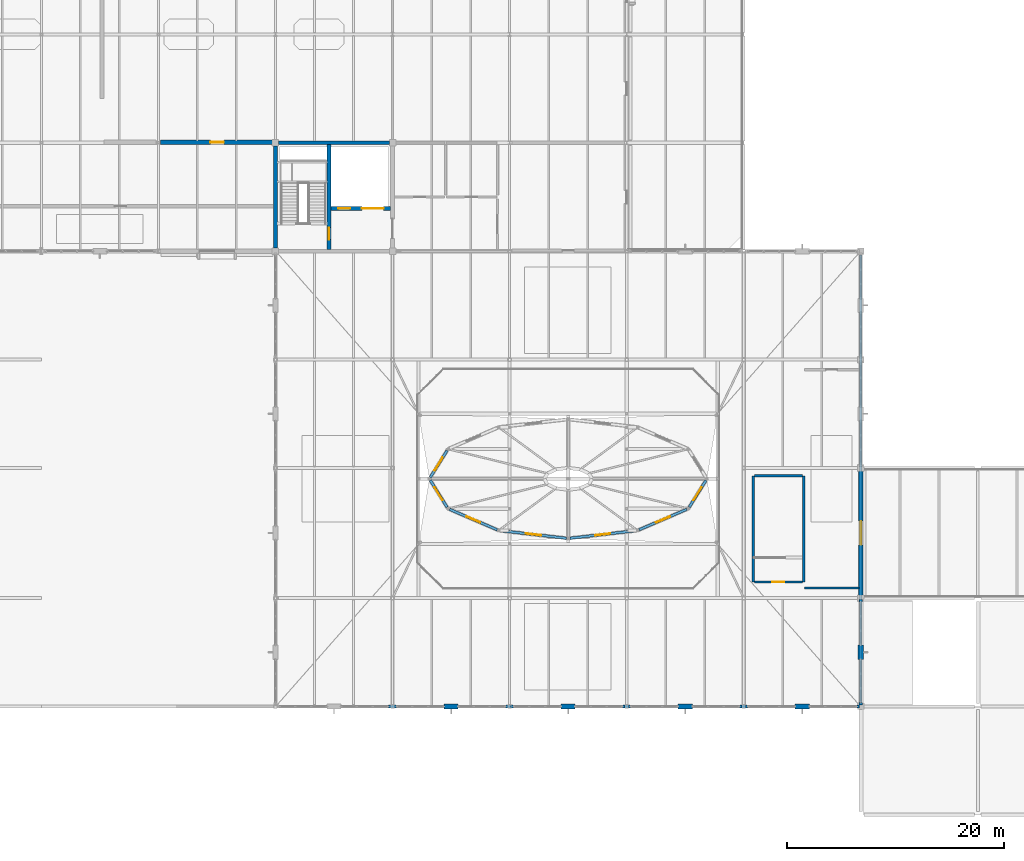
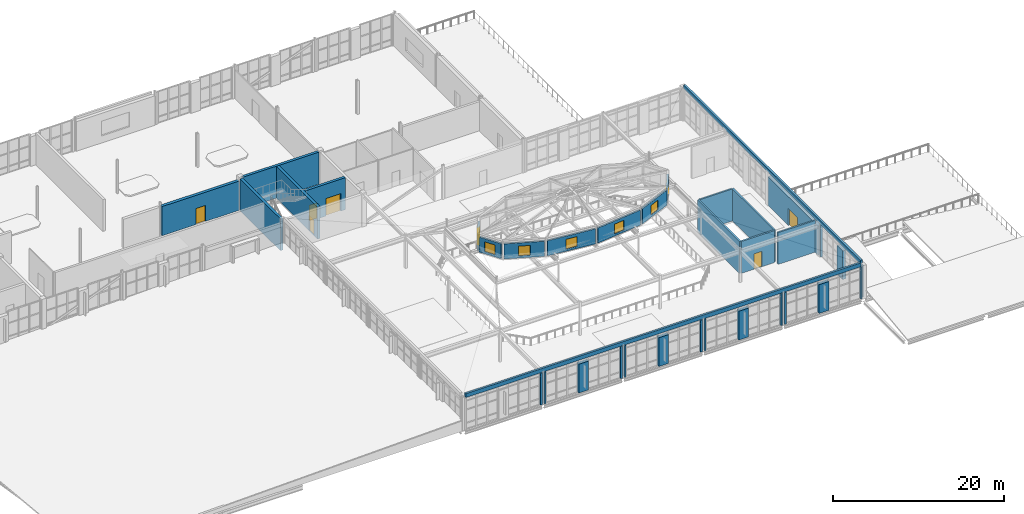
# One storey, part 75 of 86: 36 walls, 7 windows, 6 doors, 13 openings.
"""IFC4 building model written with IfcOpenShell, lengths in metres."""

from ifc_helpers import new_model, si_unit, direction, frame, frame_2d, origin, place, context, subcontext, project, spatial, rectangle, extrude, material, layer, layer_set, type_object, element, fill, save


model = new_model("IFC4")

# Units and contexts
model_context = context("Model", 3, precision=1e-05, world=origin(), true_north=direction((0.0, 1.0)))
body_context = subcontext(model_context, "Body", "Model", "MODEL_VIEW")
ifc_project = project(units=[si_unit("LENGTHUNIT", "METRE"), si_unit("AREAUNIT", "SQUARE_METRE"), si_unit("VOLUMEUNIT", "CUBIC_METRE"), si_unit("PLANEANGLEUNIT", "RADIAN"), si_unit("MASSUNIT", "GRAM", prefix="KILO")], contexts=[model_context])

# Site, building, storey
site_placement = place(None, origin())
site = spatial("IfcSite", under=ifc_project, at=site_placement, CompositionType="ELEMENT")
building_placement = place(site_placement, origin())
building = spatial("IfcBuilding", under=site, at=building_placement, Name="Tasgan Crest Museum", CompositionType="ELEMENT")
storey_placement = place(building_placement, frame((0.0, 0.0, 24.0)))
storey = spatial("IfcBuildingStorey", under=building, at=storey_placement, Name="L04", CompositionType="ELEMENT", Elevation=24.0)

# Walls
ifc_material_1 = material(Name="Concrete C40/50", Category="concrete")
ifc_layer_1 = layer(ifc_material_1, 0.35009765625, Name="WL-CORE-350")
ifc_layer_set_1 = layer_set([ifc_layer_1], Name="Concrete C40/50")
wall_type_1 = type_object("IfcWallType", Name="WL-CORE-350", PredefinedType="SHEAR", material=ifc_layer_set_1)
wall_1_placement = place(storey_placement, frame((54.300048828125, 92.0, 0.0), z_axis=(0.0, 0.0, 1.0), x_axis=(1.0, 0.0, 0.0)))
element("IfcWall", 1, at=wall_1_placement, inside=storey, type_object=wall_type_1, Name="North-Central Sawtooth Core north shear wall L04", PredefinedType="SHEAR", context=body_context, shape_type="SweptSolid", body=[
    extrude(rectangle(XDim=10.199951171875, YDim=0.35009765625, at=frame_2d((5.10009765625, 0.0))), origin(), (0.0, 0.0, 1.0), 4.56005859375),
])
wall_2_placement = place(storey_placement, frame((54.0, 82.300048828125, 0.0), z_axis=(0.0, 0.0, 1.0), x_axis=(0.0, 1.0, 0.0)))
element("IfcWall", 2, at=wall_2_placement, inside=storey, type_object=wall_type_1, Name="North-Central Sawtooth Core west shear wall L04", PredefinedType="SHEAR", context=body_context, shape_type="SweptSolid", body=[
    extrude(rectangle(XDim=9.39990234375, YDim=0.35009765625, at=frame_2d((4.699951171875, 0.0))), origin(), (0.0, 0.0, 1.0), 4.56005859375),
])

# Wall, opening, door
wall_3_placement = place(storey_placement, frame((58.949951171875, 82.175048828125, 0.0), z_axis=(0.0, 0.0, 1.0), x_axis=(0.0, 1.0, 0.0)))
wall_3 = element("IfcWall", 3, at=wall_3_placement, inside=storey, type_object=wall_type_1, Name="North-Central Sawtooth Core stair-lobby shear wall L04", PredefinedType="SHEAR", context=body_context, shape_type="SweptSolid", body=[
    extrude(rectangle(XDim=9.64990234375, YDim=0.35009765625, at=frame_2d((4.824951171875, 0.0))), origin(), (0.0, 0.0, 1.0), 4.56005859375),
])
opening_1_placement = place(wall_3_placement, frame((0.89990234375, 0.0, 0.0)))
opening_1 = element("IfcOpeningElement", 4, at=opening_1_placement, cuts=wall_3, Name="Opening SD-NC-L04", PredefinedType="OPENING", context=body_context, shape_type="SweptSolid", body=[
    extrude(rectangle(XDim=1.10009765625, YDim=2.199951171875, at=frame_2d((0.550048828125, 1.10009765625))), frame((0.0, 0.18505859375, 0.0), z_axis=(0.0, -1.0, 0.0), x_axis=(1.0, 0.0, 0.0)), (0.0, 0.0, 1.0), 0.3701171875),
])
ifc_material_2 = material(Name="Fire-Rated Steel Door", Category="steel")
door_type_1 = type_object("IfcDoorType", Name="DR-FD1-1100", OperationType="NOTDEFINED", PredefinedType="DOOR", material=ifc_material_2)
door_1_placement = place(opening_1_placement, origin())
door_1 = element("IfcDoor", 5, at=door_1_placement, inside=storey, type_object=door_type_1, Name="North-Central Sawtooth Core stair door L04", OperationType="SINGLE_SWING_LEFT", OverallHeight=2.199951171875, OverallWidth=1.10009765625, PredefinedType="DOOR", context=body_context, shape_type="SweptSolid", body=[
    extrude(rectangle(XDim=1.10009765625, YDim=2.199951171875, at=frame_2d((0.550048828125, 1.10009765625))), frame((0.0, 0.02490234375, 0.0), z_axis=(0.0, -1.0, 0.0), x_axis=(1.0, 0.0, 0.0)), (0.0, 0.0, 1.0), 0.050048828125),
])
fill(opening_1, door_1)

# Wall, openings, doors
wall_4_placement = place(storey_placement, frame((59.1298828125, 85.949951171875, 0.0), z_axis=(0.0, 0.0, 1.0), x_axis=(1.0, 0.0, 0.0)))
wall_4 = element("IfcWall", 6, at=wall_4_placement, inside=storey, type_object=wall_type_1, Name="North-Central Sawtooth Core lift-shaft wall L04", PredefinedType="SHEAR", context=body_context, shape_type="SweptSolid", body=[
    extrude(rectangle(XDim=5.490234375, YDim=0.35009765625, at=frame_2d((2.7451171875, 0.0))), origin(), (0.0, 0.0, 1.0), 4.56005859375),
])
opening_2_placement = place(wall_4_placement, frame((0.64990234375, 0.0, 0.0)))
opening_2 = element("IfcOpeningElement", 7, at=opening_2_placement, cuts=wall_4, Name="Opening LD-FL2", PredefinedType="OPENING", context=body_context, shape_type="SweptSolid", body=[
    extrude(rectangle(XDim=1.10009765625, YDim=2.199951171875, at=frame_2d((0.550048828125, 1.10009765625))), frame((0.0, 0.18505859375, 0.0), z_axis=(0.0, -1.0, 0.0), x_axis=(1.0, 0.0, 0.0)), (0.0, 0.0, 1.0), 0.3701171875),
])
opening_3_placement = place(wall_4_placement, frame((2.85009765625, 0.0, 0.0)))
opening_3 = element("IfcOpeningElement", 8, at=opening_3_placement, cuts=wall_4, Name="Opening LD-GL1", PredefinedType="OPENING", context=body_context, shape_type="SweptSolid", body=[
    extrude(rectangle(XDim=2.0, YDim=2.5, at=frame_2d((1.0, 1.25))), frame((0.0, 0.18505859375, 0.0), z_axis=(0.0, -1.0, 0.0), x_axis=(1.0, 0.0, 0.0)), (0.0, 0.0, 1.0), 0.3701171875),
])
ifc_material_3 = material(Name="Stainless Steel Firefighting Lift Landing Door", Category="steel")
door_type_2 = type_object("IfcDoorType", Name="LD-FF-1100", OperationType="NOTDEFINED", PredefinedType="DOOR", material=ifc_material_3)
door_2_placement = place(opening_2_placement, origin())
door_2 = element("IfcDoor", 9, at=door_2_placement, inside=storey, type_object=door_type_2, Name="Firefighting lift landing door FL2 L04", OperationType="DOUBLE_DOOR_SLIDING", OverallHeight=2.199951171875, OverallWidth=1.10009765625, PredefinedType="DOOR", context=body_context, shape_type="SweptSolid", body=[
    extrude(rectangle(XDim=1.10009765625, YDim=2.199951171875, at=frame_2d((0.550048828125, 1.10009765625))), frame((0.0, 0.02490234375, 0.0), z_axis=(0.0, -1.0, 0.0), x_axis=(1.0, 0.0, 0.0)), (0.0, 0.0, 1.0), 0.050048828125),
])
fill(opening_2, door_2)
ifc_material_4 = material(Name="Heavy-Duty Bi-Parting Goods Lift Landing Door")
door_type_3 = type_object("IfcDoorType", Name="LD-GDS-2000", OperationType="NOTDEFINED", PredefinedType="DOOR", material=ifc_material_4)
door_3_placement = place(opening_3_placement, origin())
door_3 = element("IfcDoor", 10, at=door_3_placement, inside=storey, type_object=door_type_3, Name="Lift landing sliding door GL1 L04", OperationType="DOUBLE_DOOR_SLIDING", OverallHeight=2.5, OverallWidth=2.0, PredefinedType="DOOR", context=body_context, shape_type="SweptSolid", body=[
    extrude(rectangle(XDim=2.0, YDim=2.5, at=frame_2d((1.0, 1.25))), frame((0.0, 0.02490234375, 0.0), z_axis=(0.0, -1.0, 0.0), x_axis=(1.0, 0.0, 0.0)), (0.0, 0.0, 1.0), 0.050048828125),
])
fill(opening_3, door_3)

# Walls
ifc_material_5 = material(Name="Precast concrete C40/50", Category="concrete")
ifc_layer_2 = layer(ifc_material_5, 0.320068359375, Name="WL-EXT-CLER-320")
ifc_layer_set_2 = layer_set([ifc_layer_2], Name="Precast concrete C40/50")
wall_type_2 = type_object("IfcWallType", Name="WL-EXT-CLER-320", PredefinedType="STANDARD", material=ifc_layer_set_2)
wall_5_placement = place(storey_placement, frame((64.429931640625, 40.0, 0.0), z_axis=(0.0, 0.0, 1.0), x_axis=(1.0, 0.0, 0.0)))
element("IfcWall", 11, at=wall_5_placement, inside=storey, type_object=wall_type_2, Name="Curtain wall jamb closure L04 JR", PredefinedType="STANDARD", context=body_context, shape_type="SweptSolid", body=[
    extrude(rectangle(XDim=0.22509765625, YDim=0.300048828125, at=frame_2d((0.112548828125, 0.0))), origin(), (0.0, 0.0, 1.0), 4.56005859375),
])
wall_6_placement = place(storey_placement, frame((64.945068359375, 40.0, 0.0), z_axis=(0.0, 0.0, 1.0), x_axis=(1.0, 0.0, 0.0)))
element("IfcWall", 12, at=wall_6_placement, inside=storey, type_object=wall_type_2, Name="Curtain wall jamb closure L04 JL", PredefinedType="STANDARD", context=body_context, shape_type="SweptSolid", body=[
    extrude(rectangle(XDim=0.224853515625, YDim=0.300048828125, at=frame_2d((0.1123046875, 0.0))), origin(), (0.0, 0.0, 1.0), 4.56005859375),
])
wall_7_placement = place(storey_placement, frame((75.22998046875, 40.0, 0.0), z_axis=(0.0, 0.0, 1.0), x_axis=(1.0, 0.0, 0.0)))
element("IfcWall", 13, at=wall_7_placement, inside=storey, type_object=wall_type_2, Name="Curtain wall jamb closure L04 JR", PredefinedType="STANDARD", context=body_context, shape_type="SweptSolid", body=[
    extrude(rectangle(XDim=0.22509765625, YDim=0.300048828125, at=frame_2d((0.112548828125, 0.0))), origin(), (0.0, 0.0, 1.0), 4.56005859375),
])
for number, where, z_axis, x_axis, name in (
    (14, (75.7451171875, 40.0, 0.0), (0.0, 0.0, 1.0), (1.0, 0.0, 0.0), "Curtain wall jamb closure L04 JL"),
    (15, (86.030029296875, 40.0, 0.0), (0.0, 0.0, 1.0), (1.0, 0.0, 0.0), "Curtain wall jamb closure L04 JR"),
):
    element("IfcWall", number, at=place(storey_placement, frame(where, z_axis=z_axis, x_axis=x_axis)), inside=storey, type_object=wall_type_2, Name=name, PredefinedType="STANDARD", context=body_context, shape_type="SweptSolid", body=[
        extrude(rectangle(XDim=0.224853515625, YDim=0.300048828125, at=frame_2d((0.1123046875, 0.0))), origin(), (0.0, 0.0, 1.0), 4.56005859375),
    ])
wall_8_placement = place(storey_placement, frame((86.544921875, 40.0, 0.0), z_axis=(0.0, 0.0, 1.0), x_axis=(1.0, 0.0, 0.0)))
element("IfcWall", 16, at=wall_8_placement, inside=storey, type_object=wall_type_2, Name="Curtain wall jamb closure L04 JL", PredefinedType="STANDARD", context=body_context, shape_type="SweptSolid", body=[
    extrude(rectangle(XDim=0.22509765625, YDim=0.300048828125, at=frame_2d((0.112548828125, 0.0))), origin(), (0.0, 0.0, 1.0), 4.56005859375),
])
wall_9_placement = place(storey_placement, frame((96.830078125, 40.0, 0.0), z_axis=(0.0, 0.0, 1.0), x_axis=(1.0, 0.0, 0.0)))
element("IfcWall", 17, at=wall_9_placement, inside=storey, type_object=wall_type_2, Name="Curtain wall jamb closure L04 JR", PredefinedType="STANDARD", context=body_context, shape_type="SweptSolid", body=[
    extrude(rectangle(XDim=0.224853515625, YDim=0.300048828125, at=frame_2d((0.1123046875, 0.0))), origin(), (0.0, 0.0, 1.0), 4.56005859375),
])
for number, where, z_axis, x_axis, name in (
    (18, (97.344970703125, 40.0, 0.0), (0.0, 0.0, 1.0), (1.0, 0.0, 0.0), "Curtain wall jamb closure L04 JL"),
    (19, (107.6298828125, 40.0, 0.0), (0.0, 0.0, 1.0), (1.0, 0.0, 0.0), "Curtain wall jamb closure L04 JR"),
    (20, (108.0, 40.14501953125, 0.0), (0.0, 0.0, 1.0), (0.0, 1.0, 0.0), "Curtain wall jamb closure L04 JL"),
    (21, (108.0, 49.6298828125, 0.0), (0.0, 0.0, 1.0), (0.0, 1.0, 0.0), "Curtain wall jamb closure L04 JR"),
):
    element("IfcWall", number, at=place(storey_placement, frame(where, z_axis=z_axis, x_axis=x_axis)), inside=storey, type_object=wall_type_2, Name=name, PredefinedType="STANDARD", context=body_context, shape_type="SweptSolid", body=[
        extrude(rectangle(XDim=0.22509765625, YDim=0.300048828125, at=frame_2d((0.112548828125, 0.0))), origin(), (0.0, 0.0, 1.0), 4.56005859375),
    ])

# Wall, opening, window
wall_10_placement = place(storey_placement, frame((69.830078125, 63.6142578125, 7.840087890625), z_axis=(0.0, 0.0, 1.0), x_axis=(-0.52909704263, -0.848561323347, 0.0)))
wall_10 = element("IfcWall", 22, at=wall_10_placement, inside=storey, type_object=wall_type_2, Name="Rotunda polygonal drum wall 6", PredefinedType="STANDARD", context=body_context, shape_type="SweptSolid", body=[
    extrude(rectangle(XDim=2.9208984375, YDim=0.239990234375, at=frame_2d((1.46044921875, 0.0))), origin(), (0.0, 0.0, 1.0), 2.159912109375),
])
opening_4_placement = place(wall_10_placement, frame((0.760498046875, 0.0, 0.300048828125)))
opening_4 = element("IfcOpeningElement", 23, at=opening_4_placement, cuts=wall_10, Name="Opening W16", PredefinedType="OPENING", context=body_context, shape_type="SweptSolid", body=[
    extrude(rectangle(XDim=1.39990234375, YDim=1.39990234375, at=frame_2d((0.699951171875, 0.699951171875))), frame((0.0, 0.1298828125, 0.0), z_axis=(0.0, -1.0, 0.0), x_axis=(1.0, 0.0, 0.0)), (0.0, 0.0, 1.0), 0.260009765625),
])
ifc_material_6 = material(Name="Thermally Broken Triple-Glazed Aluminium", Category="aluminium")
window_type = type_object("IfcWindowType", Name="WN-OCULUS-1400", PartitioningType="SINGLE_PANEL", PredefinedType="WINDOW", material=ifc_material_6)
window_1_placement = place(opening_4_placement, origin())
window_1 = element("IfcWindow", 24, at=window_1_placement, inside=storey, type_object=window_type, Name="Rotunda oculus clerestory window 6", OverallHeight=1.39990234375, OverallWidth=1.39990234375, PartitioningType="SINGLE_PANEL", PredefinedType="WINDOW", context=body_context, shape_type="SweptSolid", body=[
    extrude(rectangle(XDim=1.39990234375, YDim=1.39990234375, at=frame_2d((0.699951171875, 0.699951171875))), frame((0.0, 0.030029296875, 0.0), z_axis=(0.0, -1.0, 0.0), x_axis=(1.0, 0.0, 0.0)), (0.0, 0.0, 1.0), 0.06005859375),
])
fill(opening_4, window_1)

wall_11_placement = place(storey_placement, frame((68.28466796875, 60.8642578125, 7.840087890625), z_axis=(0.0, 0.0, 1.0), x_axis=(0.52909704263, -0.848561323347, 0.0)))
wall_11 = element("IfcWall", 25, at=wall_11_placement, inside=storey, type_object=wall_type_2, Name="Rotunda polygonal drum wall 7", PredefinedType="STANDARD", context=body_context, shape_type="SweptSolid", body=[
    extrude(rectangle(XDim=2.9208984375, YDim=0.239990234375, at=frame_2d((1.46044921875, 0.0))), origin(), (0.0, 0.0, 1.0), 2.159912109375),
])
opening_5_placement = place(wall_11_placement, frame((0.760498046875, 0.0, 0.300048828125)))
opening_5 = element("IfcOpeningElement", 26, at=opening_5_placement, cuts=wall_11, Name="Opening W16", PredefinedType="OPENING", context=body_context, shape_type="SweptSolid", body=[
    extrude(rectangle(XDim=1.39990234375, YDim=1.39990234375, at=frame_2d((0.699951171875, 0.699951171875))), frame((0.0, 0.1298828125, 0.0), z_axis=(0.0, -1.0, 0.0), x_axis=(1.0, 0.0, 0.0)), (0.0, 0.0, 1.0), 0.260009765625),
])
window_2_placement = place(opening_5_placement, origin())
window_2 = element("IfcWindow", 27, at=window_2_placement, inside=storey, type_object=window_type, Name="Rotunda oculus clerestory window 7", OverallHeight=1.39990234375, OverallWidth=1.39990234375, PartitioningType="SINGLE_PANEL", PredefinedType="WINDOW", context=body_context, shape_type="SweptSolid", body=[
    extrude(rectangle(XDim=1.39990234375, YDim=1.39990234375, at=frame_2d((0.699951171875, 0.699951171875))), frame((0.0, 0.030029296875, 0.0), z_axis=(0.0, -1.0, 0.0), x_axis=(1.0, 0.0, 0.0)), (0.0, 0.0, 1.0), 0.06005859375),
])
fill(opening_5, window_2)

wall_12_placement = place(storey_placement, frame((70.06201171875, 58.186767578125, 7.840087890625), z_axis=(0.0, 0.0, 1.0), x_axis=(0.918772047343, -0.394788456039, 0.0)))
wall_12 = element("IfcWall", 28, at=wall_12_placement, inside=storey, type_object=wall_type_2, Name="Rotunda polygonal drum wall 8", PredefinedType="STANDARD", context=body_context, shape_type="SweptSolid", body=[
    extrude(rectangle(XDim=4.779052734375, YDim=0.239990234375, at=frame_2d((2.3896484375, 0.0))), origin(), (0.0, 0.0, 1.0), 2.159912109375),
])
opening_6_placement = place(wall_12_placement, frame((1.689697265625, 0.0, 0.300048828125)))
opening_6 = element("IfcOpeningElement", 29, at=opening_6_placement, cuts=wall_12, Name="Opening W16", PredefinedType="OPENING", context=body_context, shape_type="SweptSolid", body=[
    extrude(rectangle(XDim=1.39990234375, YDim=1.39990234375, at=frame_2d((0.699951171875, 0.699951171875))), frame((0.0, 0.1298828125, 0.0), z_axis=(0.0, -1.0, 0.0), x_axis=(1.0, 0.0, 0.0)), (0.0, 0.0, 1.0), 0.260009765625),
])
window_3_placement = place(opening_6_placement, origin())
window_3 = element("IfcWindow", 30, at=window_3_placement, inside=storey, type_object=window_type, Name="Rotunda oculus clerestory window 8", OverallHeight=1.39990234375, OverallWidth=1.39990234375, PartitioningType="SINGLE_PANEL", PredefinedType="WINDOW", context=body_context, shape_type="SweptSolid", body=[
    extrude(rectangle(XDim=1.39990234375, YDim=1.39990234375, at=frame_2d((0.699951171875, 0.699951171875))), frame((0.0, 0.030029296875, 0.0), z_axis=(0.0, -1.0, 0.0), x_axis=(1.0, 0.0, 0.0)), (0.0, 0.0, 1.0), 0.06005859375),
])
fill(opening_6, window_3)

wall_13_placement = place(storey_placement, frame((74.7587890625, 56.218505859375, 7.840087890625), z_axis=(0.0, 0.0, 1.0), x_axis=(0.993438765736, -0.114365286402, 0.0)))
wall_13 = element("IfcWall", 31, at=wall_13_placement, inside=storey, type_object=wall_type_2, Name="Rotunda polygonal drum wall 9", PredefinedType="STANDARD", context=body_context, shape_type="SweptSolid", body=[
    extrude(rectangle(XDim=6.12255859375, YDim=0.239990234375, at=frame_2d((3.061279296875, 0.0))), origin(), (0.0, 0.0, 1.0), 2.159912109375),
])
opening_7_placement = place(wall_13_placement, frame((2.361083984375, 0.0, 0.300048828125)))
opening_7 = element("IfcOpeningElement", 32, at=opening_7_placement, cuts=wall_13, Name="Opening W16", PredefinedType="OPENING", context=body_context, shape_type="SweptSolid", body=[
    extrude(rectangle(XDim=1.39990234375, YDim=1.39990234375, at=frame_2d((0.699951171875, 0.699951171875))), frame((0.0, 0.1298828125, 0.0), z_axis=(0.0, -1.0, 0.0), x_axis=(1.0, 0.0, 0.0)), (0.0, 0.0, 1.0), 0.260009765625),
])
window_4_placement = place(opening_7_placement, origin())
window_4 = element("IfcWindow", 33, at=window_4_placement, inside=storey, type_object=window_type, Name="Rotunda oculus clerestory window 9", OverallHeight=1.39990234375, OverallWidth=1.39990234375, PartitioningType="SINGLE_PANEL", PredefinedType="WINDOW", context=body_context, shape_type="SweptSolid", body=[
    extrude(rectangle(XDim=1.39990234375, YDim=1.39990234375, at=frame_2d((0.699951171875, 0.699951171875))), frame((0.0, 0.030029296875, 0.0), z_axis=(0.0, -1.0, 0.0), x_axis=(1.0, 0.0, 0.0)), (0.0, 0.0, 1.0), 0.06005859375),
])
fill(opening_7, window_4)

wall_14_placement = place(storey_placement, frame((81.158935546875, 55.518310546875, 7.840087890625), z_axis=(0.0, 0.0, 1.0), x_axis=(0.993438765736, 0.114365286402, 0.0)))
wall_14 = element("IfcWall", 34, at=wall_14_placement, inside=storey, type_object=wall_type_2, Name="Rotunda polygonal drum wall 10", PredefinedType="STANDARD", context=body_context, shape_type="SweptSolid", body=[
    extrude(rectangle(XDim=6.12255859375, YDim=0.239990234375, at=frame_2d((3.061279296875, 0.0))), origin(), (0.0, 0.0, 1.0), 2.159912109375),
])
opening_8_placement = place(wall_14_placement, frame((2.361083984375, 0.0, 0.300048828125)))
opening_8 = element("IfcOpeningElement", 35, at=opening_8_placement, cuts=wall_14, Name="Opening W16", PredefinedType="OPENING", context=body_context, shape_type="SweptSolid", body=[
    extrude(rectangle(XDim=1.39990234375, YDim=1.39990234375, at=frame_2d((0.699951171875, 0.699951171875))), frame((0.0, 0.1298828125, 0.0), z_axis=(0.0, -1.0, 0.0), x_axis=(1.0, 0.0, 0.0)), (0.0, 0.0, 1.0), 0.260009765625),
])
window_5_placement = place(opening_8_placement, origin())
window_5 = element("IfcWindow", 36, at=window_5_placement, inside=storey, type_object=window_type, Name="Rotunda oculus clerestory window 10", OverallHeight=1.39990234375, OverallWidth=1.39990234375, PartitioningType="SINGLE_PANEL", PredefinedType="WINDOW", context=body_context, shape_type="SweptSolid", body=[
    extrude(rectangle(XDim=1.39990234375, YDim=1.39990234375, at=frame_2d((0.699951171875, 0.699951171875))), frame((0.0, 0.030029296875, 0.0), z_axis=(0.0, -1.0, 0.0), x_axis=(1.0, 0.0, 0.0)), (0.0, 0.0, 1.0), 0.06005859375),
])
fill(opening_8, window_5)

wall_15_placement = place(storey_placement, frame((87.547119140625, 56.300048828125, 7.840087890625), z_axis=(0.0, 0.0, 1.0), x_axis=(0.918772047343, 0.394788456039, 0.0)))
wall_15 = element("IfcWall", 37, at=wall_15_placement, inside=storey, type_object=wall_type_2, Name="Rotunda polygonal drum wall 11", PredefinedType="STANDARD", context=body_context, shape_type="SweptSolid", body=[
    extrude(rectangle(XDim=4.779052734375, YDim=0.239990234375, at=frame_2d((2.3896484375, 0.0))), origin(), (0.0, 0.0, 1.0), 2.159912109375),
])
opening_9_placement = place(wall_15_placement, frame((1.689697265625, 0.0, 0.300048828125)))
opening_9 = element("IfcOpeningElement", 38, at=opening_9_placement, cuts=wall_15, Name="Opening W16", PredefinedType="OPENING", context=body_context, shape_type="SweptSolid", body=[
    extrude(rectangle(XDim=1.39990234375, YDim=1.39990234375, at=frame_2d((0.699951171875, 0.699951171875))), frame((0.0, 0.1298828125, 0.0), z_axis=(0.0, -1.0, 0.0), x_axis=(1.0, 0.0, 0.0)), (0.0, 0.0, 1.0), 0.260009765625),
])
window_6_placement = place(opening_9_placement, origin())
window_6 = element("IfcWindow", 39, at=window_6_placement, inside=storey, type_object=window_type, Name="Rotunda oculus clerestory window 11", OverallHeight=1.39990234375, OverallWidth=1.39990234375, PartitioningType="SINGLE_PANEL", PredefinedType="WINDOW", context=body_context, shape_type="SweptSolid", body=[
    extrude(rectangle(XDim=1.39990234375, YDim=1.39990234375, at=frame_2d((0.699951171875, 0.699951171875))), frame((0.0, 0.030029296875, 0.0), z_axis=(0.0, -1.0, 0.0), x_axis=(1.0, 0.0, 0.0)), (0.0, 0.0, 1.0), 0.06005859375),
])
fill(opening_9, window_6)

wall_16_placement = place(storey_placement, frame((92.169921875, 58.3857421875, 7.840087890625), z_axis=(0.0, 0.0, 1.0), x_axis=(0.52909704263, 0.848561323347, 0.0)))
wall_16 = element("IfcWall", 40, at=wall_16_placement, inside=storey, type_object=wall_type_2, Name="Rotunda polygonal drum wall 12", PredefinedType="STANDARD", context=body_context, shape_type="SweptSolid", body=[
    extrude(rectangle(XDim=2.9208984375, YDim=0.239990234375, at=frame_2d((1.46044921875, 0.0))), origin(), (0.0, 0.0, 1.0), 2.159912109375),
])
opening_10_placement = place(wall_16_placement, frame((0.760498046875, 0.0, 0.300048828125)))
opening_10 = element("IfcOpeningElement", 41, at=opening_10_placement, cuts=wall_16, Name="Opening W16", PredefinedType="OPENING", context=body_context, shape_type="SweptSolid", body=[
    extrude(rectangle(XDim=1.39990234375, YDim=1.39990234375, at=frame_2d((0.699951171875, 0.699951171875))), frame((0.0, 0.1298828125, 0.0), z_axis=(0.0, -1.0, 0.0), x_axis=(1.0, 0.0, 0.0)), (0.0, 0.0, 1.0), 0.260009765625),
])
window_7_placement = place(opening_10_placement, origin())
window_7 = element("IfcWindow", 42, at=window_7_placement, inside=storey, type_object=window_type, Name="Rotunda oculus clerestory window 12", OverallHeight=1.39990234375, OverallWidth=1.39990234375, PartitioningType="SINGLE_PANEL", PredefinedType="WINDOW", context=body_context, shape_type="SweptSolid", body=[
    extrude(rectangle(XDim=1.39990234375, YDim=1.39990234375, at=frame_2d((0.699951171875, 0.699951171875))), frame((0.0, 0.030029296875, 0.0), z_axis=(0.0, -1.0, 0.0), x_axis=(1.0, 0.0, 0.0)), (0.0, 0.0, 1.0), 0.06005859375),
])
fill(opening_10, window_7)

# Walls
ifc_material_7 = material(Name="Precast concrete C40/50", Category="concrete")
ifc_layer_3 = layer(ifc_material_7, 0.47998046875, Name="WL-EXT-GRAN-480")
ifc_layer_set_3 = layer_set([ifc_layer_3], Name="Precast concrete C40/50")
wall_type_3 = type_object("IfcWallType", Name="WL-EXT-GRAN-480", PredefinedType="STANDARD", material=ifc_layer_set_3)
wall_17_placement = place(storey_placement, frame((69.550048828125, 40.0, 0.0), z_axis=(0.0, 0.0, 1.0), x_axis=(1.0, 0.0, 0.0)))
element("IfcWall", 43, at=wall_17_placement, inside=storey, type_object=wall_type_3, Name="Postmodern facade stone pier L04", PredefinedType="STANDARD", context=body_context, shape_type="SweptSolid", body=[
    extrude(rectangle(XDim=1.300048828125, YDim=0.47998046875, at=frame_2d((0.64990234375, 0.0))), origin(), (0.0, 0.0, 1.0), 4.10888671875),
])
wall_18_placement = place(storey_placement, frame((80.35009765625, 40.0, 0.0), z_axis=(0.0, 0.0, 1.0), x_axis=(1.0, 0.0, 0.0)))
element("IfcWall", 44, at=wall_18_placement, inside=storey, type_object=wall_type_3, Name="Postmodern facade stone pier L04", PredefinedType="STANDARD", context=body_context, shape_type="SweptSolid", body=[
    extrude(rectangle(XDim=1.2998046875, YDim=0.47998046875, at=frame_2d((0.64990234375, 0.0))), origin(), (0.0, 0.0, 1.0), 4.10888671875),
])
for number, where, z_axis, x_axis, name in (
    (45, (91.14990234375, 40.0, 0.0), (0.0, 0.0, 1.0), (1.0, 0.0, 0.0), "Postmodern facade stone pier L04"),
    (46, (101.949951171875, 40.0, 0.0), (0.0, 0.0, 1.0), (1.0, 0.0, 0.0), "Postmodern facade stone pier L04"),
):
    element("IfcWall", number, at=place(storey_placement, frame(where, z_axis=z_axis, x_axis=x_axis)), inside=storey, type_object=wall_type_3, Name=name, PredefinedType="STANDARD", context=body_context, shape_type="SweptSolid", body=[
        extrude(rectangle(XDim=1.300048828125, YDim=0.47998046875, at=frame_2d((0.64990234375, 0.0))), origin(), (0.0, 0.0, 1.0), 4.10888671875),
    ])
wall_19_placement = place(storey_placement, frame((108.0, 44.35009765625, 0.0), z_axis=(0.0, 0.0, 1.0), x_axis=(0.0, 1.0, 0.0)))
element("IfcWall", 47, at=wall_19_placement, inside=storey, type_object=wall_type_3, Name="Postmodern facade stone pier L04", PredefinedType="STANDARD", context=body_context, shape_type="SweptSolid", body=[
    extrude(rectangle(XDim=1.2998046875, YDim=0.47998046875, at=frame_2d((0.64990234375, 0.0))), origin(), (0.0, 0.0, 1.0), 4.10888671875),
])

# Wall, opening, door
ifc_material_8 = material(Name="Precast concrete C40/50", Category="concrete")
ifc_layer_4 = layer(ifc_material_8, 0.419921875, Name="WL-EXT-SAND-420")
ifc_layer_set_4 = layer_set([ifc_layer_4], Name="Precast concrete C40/50")
wall_type_4 = type_object("IfcWallType", Name="WL-EXT-SAND-420", PredefinedType="STANDARD", material=ifc_layer_set_4)
wall_20_placement = place(storey_placement, frame((108.0, 50.14501953125, 0.0), z_axis=(0.0, 0.0, 1.0), x_axis=(0.0, 1.0, 0.0)))
wall_20 = element("IfcWall", 48, at=wall_20_placement, inside=storey, type_object=wall_type_4, Name="Exterior wall L04 (108.0,56.0)", PredefinedType="STANDARD", context=body_context, shape_type="SweptSolid", body=[
    extrude(rectangle(XDim=11.7099609375, YDim=0.419921875, at=frame_2d((5.85498046875, 0.0))), origin(), (0.0, 0.0, 1.0), 4.10888671875),
])
opening_11_placement = place(wall_20_placement, frame((4.7548828125, 0.0, 0.0)))
opening_11 = element("IfcOpeningElement", 49, at=opening_11_placement, cuts=wall_20, Name="Opening ED019", PredefinedType="OPENING", context=body_context, shape_type="SweptSolid", body=[
    extrude(rectangle(XDim=2.199951171875, YDim=2.39990234375, at=frame_2d((1.10009765625, 1.199951171875))), frame((0.0, 0.219970703125, 0.0), z_axis=(0.0, -1.0, 0.0), x_axis=(1.0, 0.0, 0.0)), (0.0, 0.0, 1.0), 0.43994140625),
])
ifc_material_9 = material(Name="Thermally Broken Insulated Steel and Bronze", Category="steel")
door_type_4 = type_object("IfcDoorType", Name="DR-TERR-DBL-2200", OperationType="NOTDEFINED", PredefinedType="DOOR", material=ifc_material_9)
door_4_placement = place(opening_11_placement, frame((2.199951171875, 0.0, 0.0), z_axis=(0.0, 0.0, 1.0), x_axis=(-1.0, 0.0, 0.0)))
door_4 = element("IfcDoor", 50, at=door_4_placement, inside=storey, type_object=door_type_4, Name="East steppe terrace access door ED019", OperationType="DOUBLE_DOOR_SINGLE_SWING", OverallHeight=2.39990234375, OverallWidth=2.199951171875, PredefinedType="DOOR", context=body_context, shape_type="SweptSolid", body=[
    extrude(rectangle(XDim=2.199951171875, YDim=2.39990234375, at=frame_2d((1.10009765625, 1.199951171875))), frame((0.0, 0.02490234375, 0.0), z_axis=(0.0, -1.0, 0.0), x_axis=(1.0, 0.0, 0.0)), (0.0, 0.0, 1.0), 0.050048828125),
])
fill(opening_11, door_4)

# Walls
ifc_material_10 = material(Name="Precast concrete C40/50", Category="concrete")
ifc_layer_5 = layer(ifc_material_10, 0.260009765625, Name="WL-PARAPET-260")
ifc_layer_set_5 = layer_set([ifc_layer_5], Name="Precast concrete C40/50")
wall_type_5 = type_object("IfcWallType", Name="WL-PARAPET-260", PredefinedType="PARAPET", material=ifc_layer_set_5)
wall_21_placement = place(storey_placement, frame((54.35009765625, 40.0, 4.60009765625), z_axis=(0.0, 0.0, 1.0), x_axis=(1.0, 0.0, 0.0)))
element("IfcWall", 51, at=wall_21_placement, inside=storey, type_object=wall_type_5, Name="Roof parapet L04 V2-S", PredefinedType="PARAPET", context=body_context, shape_type="SweptSolid", body=[
    extrude(rectangle(XDim=53.2998046875, YDim=0.260009765625, at=frame_2d((26.64990234375, 0.0))), origin(), (0.0, 0.0, 1.0), 0.5498046875),
])
wall_22_placement = place(storey_placement, frame((108.0, 40.35009765625, 4.60009765625), z_axis=(0.0, 0.0, 1.0), x_axis=(0.0, 1.0, 0.0)))
element("IfcWall", 52, at=wall_22_placement, inside=storey, type_object=wall_type_5, Name="Roof parapet L04 V2-E", PredefinedType="PARAPET", context=body_context, shape_type="SweptSolid", body=[
    extrude(rectangle(XDim=41.2998046875, YDim=0.260009765625, at=frame_2d((20.64990234375, 0.0))), origin(), (0.0, 0.0, 1.0), 0.5498046875),
])
ifc_material_11 = material(Name="Gypsum Acoustic Museum Partition")
ifc_layer_6 = layer(ifc_material_11, 0.2099609375, Name="WL-SCH-06")
ifc_layer_set_6 = layer_set([ifc_layer_6], Name="Gypsum Acoustic Museum Partition")
wall_type_6 = type_object("IfcWallType", Name="WL-SCH-06", PredefinedType="PARTITIONING", material=ifc_layer_set_6)
wall_23_placement = place(storey_placement, frame((102.800048828125, 50.925048828125, 0.0), z_axis=(0.0, 0.0, 1.0), x_axis=(1.0, 0.0, 0.0)))
element("IfcWall", 53, at=wall_23_placement, inside=storey, type_object=wall_type_6, Name="Partition Lantern South Panorama Concourse / East Steppe Terrace Pavilion L04", PredefinedType="PARTITIONING", context=body_context, shape_type="SweptSolid", body=[
    extrude(rectangle(XDim=5.02001953125, YDim=0.2099609375, at=frame_2d((2.510009765625, 0.0))), origin(), (0.0, 0.0, 1.0), 4.52001953125),
])

# Wall, opening, door
ifc_material_12 = material(Name="Gypsum Acoustic Museum Partition")
ifc_layer_7 = layer(ifc_material_12, 0.389892578125, Name="WL-SCH-13")
ifc_layer_set_7 = layer_set([ifc_layer_7], Name="Gypsum Acoustic Museum Partition")
wall_type_7 = type_object("IfcWallType", Name="WL-SCH-13", PredefinedType="PARTITIONING", material=ifc_layer_set_7)
wall_24_placement = place(storey_placement, frame((43.39990234375, 92.050048828125, 0.0), z_axis=(0.0, 0.0, 1.0), x_axis=(1.0, 0.0, 0.0)))
wall_24 = element("IfcWall", 54, at=wall_24_placement, inside=storey, type_object=wall_type_7, Name="Partition Altai Quartz and Jade Gallery / Central Asian Tectonics Exhibition Gallery L04", PredefinedType="PARTITIONING", context=body_context, shape_type="SweptSolid", body=[
    extrude(rectangle(XDim=10.420166015625, YDim=0.389892578125, at=frame_2d((5.2099609375, 0.0))), origin(), (0.0, 0.0, 1.0), 4.169921875),
])
opening_12_placement = place(wall_24_placement, frame((4.5849609375, 0.0, 0.0)))
opening_12 = element("IfcOpeningElement", 55, at=opening_12_placement, cuts=wall_24, Name="Opening D091", PredefinedType="OPENING", context=body_context, shape_type="SweptSolid", body=[
    extrude(rectangle(XDim=1.25, YDim=2.300048828125, at=frame_2d((0.625, 1.14990234375))), frame((0.0, 0.204833984375, 0.0), z_axis=(0.0, -1.0, 0.0), x_axis=(1.0, 0.0, 0.0)), (0.0, 0.0, 1.0), 0.409912109375),
])
ifc_material_13 = material(Name="Oak and Brushed Bronze Acoustic Door")
door_type_5 = type_object("IfcDoorType", Name="DR-SCH-07", OperationType="NOTDEFINED", PredefinedType="DOOR", material=ifc_material_13)
door_5_placement = place(opening_12_placement, origin())
door_5 = element("IfcDoor", 56, at=door_5_placement, inside=storey, type_object=door_type_5, Name="Central Asian Tectonics Exhibition Gallery door D091", OperationType="SINGLE_SWING_LEFT", OverallHeight=2.300048828125, OverallWidth=1.25, PredefinedType="DOOR", context=body_context, shape_type="SweptSolid", body=[
    extrude(rectangle(XDim=1.25, YDim=2.300048828125, at=frame_2d((0.625, 1.14990234375))), frame((0.0, 0.02490234375, 0.0), z_axis=(0.0, -1.0, 0.0), x_axis=(1.0, 0.0, 0.0)), (0.0, 0.0, 1.0), 0.050048828125),
])
fill(opening_12, door_5)

# Walls
ifc_material_14 = material(Name="Concrete C40/50", Category="concrete")
ifc_layer_8 = layer(ifc_material_14, 0.219970703125, Name="WL-SHAFT-220")
ifc_layer_set_8 = layer_set([ifc_layer_8], Name="Concrete C40/50")
wall_type_8 = type_object("IfcWallType", Name="WL-SHAFT-220", PredefinedType="SHEAR", material=ifc_layer_set_8)
for number, where, z_axis, x_axis, name in (
    (57, (98.080078125, 51.47998046875, 0.0), (0.0, 0.0, 1.0), (0.0, 1.0, 0.0), "ATRIUM stairwell wall L04 W"),
    (58, (102.719970703125, 51.47998046875, 0.0), (0.0, 0.0, 1.0), (0.0, 1.0, 0.0), "ATRIUM stairwell wall L04 E"),
):
    element("IfcWall", number, at=place(storey_placement, frame(where, z_axis=z_axis, x_axis=x_axis)), inside=storey, type_object=wall_type_8, Name=name, PredefinedType="SHEAR", context=body_context, shape_type="SweptSolid", body=[
        extrude(rectangle(XDim=9.7900390625, YDim=0.219970703125, at=frame_2d((4.89501953125, 0.0))), origin(), (0.0, 0.0, 1.0), 4.56005859375),
    ])
wall_25_placement = place(storey_placement, frame((98.199951171875, 61.27001953125, 0.0), z_axis=(0.0, 0.0, 1.0), x_axis=(1.0, 0.0, 0.0)))
element("IfcWall", 59, at=wall_25_placement, inside=storey, type_object=wall_type_8, Name="ATRIUM stairwell wall L04 N", PredefinedType="SHEAR", context=body_context, shape_type="SweptSolid", body=[
    extrude(rectangle(XDim=4.400146484375, YDim=0.219970703125, at=frame_2d((2.2001953125, 0.0))), origin(), (0.0, 0.0, 1.0), 4.56005859375),
])

# Wall, opening, door
wall_26_placement = place(storey_placement, frame((98.199951171875, 51.47998046875, 0.0), z_axis=(0.0, 0.0, 1.0), x_axis=(1.0, 0.0, 0.0)))
wall_26 = element("IfcWall", 60, at=wall_26_placement, inside=storey, type_object=wall_type_8, Name="ATRIUM stairwell wall L04 S", PredefinedType="SHEAR", context=body_context, shape_type="SweptSolid", body=[
    extrude(rectangle(XDim=4.400146484375, YDim=0.219970703125, at=frame_2d((2.2001953125, 0.0))), origin(), (0.0, 0.0, 1.0), 4.56005859375),
])
opening_13_placement = place(wall_26_placement, frame((1.64990234375, 0.0, 0.0)))
opening_13 = element("IfcOpeningElement", 61, at=opening_13_placement, cuts=wall_26, Name="Opening SD-AT-L04", PredefinedType="OPENING", context=body_context, shape_type="SweptSolid", body=[
    extrude(rectangle(XDim=1.10009765625, YDim=2.199951171875, at=frame_2d((0.550048828125, 1.10009765625))), frame((0.0, 0.119873046875, 0.0), z_axis=(0.0, -1.0, 0.0), x_axis=(1.0, 0.0, 0.0)), (0.0, 0.0, 1.0), 0.239990234375),
])
door_6_placement = place(opening_13_placement, origin())
door_6 = element("IfcDoor", 62, at=door_6_placement, inside=storey, type_object=door_type_1, Name="ATRIUM protected stair door L04", OperationType="SINGLE_SWING_LEFT", OverallHeight=2.199951171875, OverallWidth=1.10009765625, PredefinedType="DOOR", context=body_context, shape_type="SweptSolid", body=[
    extrude(rectangle(XDim=1.10009765625, YDim=2.199951171875, at=frame_2d((0.550048828125, 1.10009765625))), frame((0.0, 0.02490234375, 0.0), z_axis=(0.0, -1.0, 0.0), x_axis=(1.0, 0.0, 0.0)), (0.0, 0.0, 1.0), 0.050048828125),
])
fill(opening_13, door_6)

save(model, "model.ifc")
